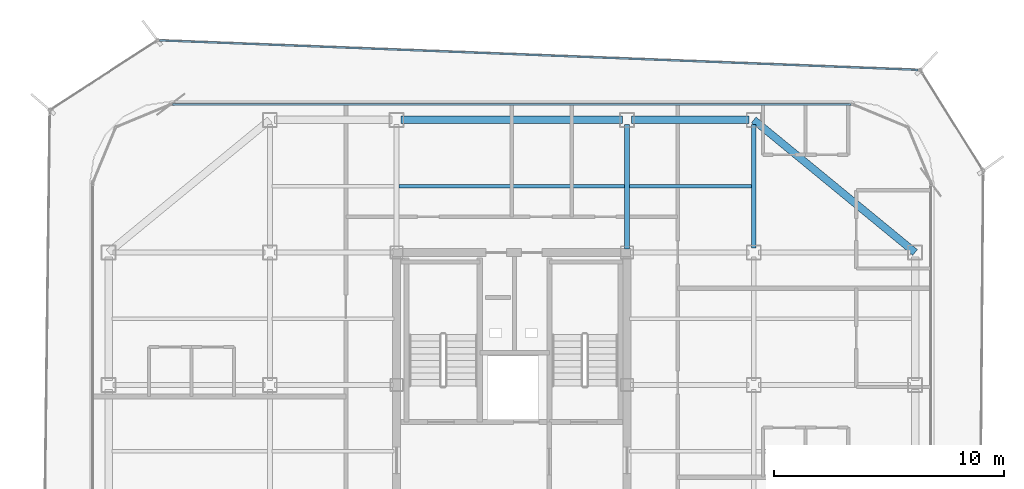
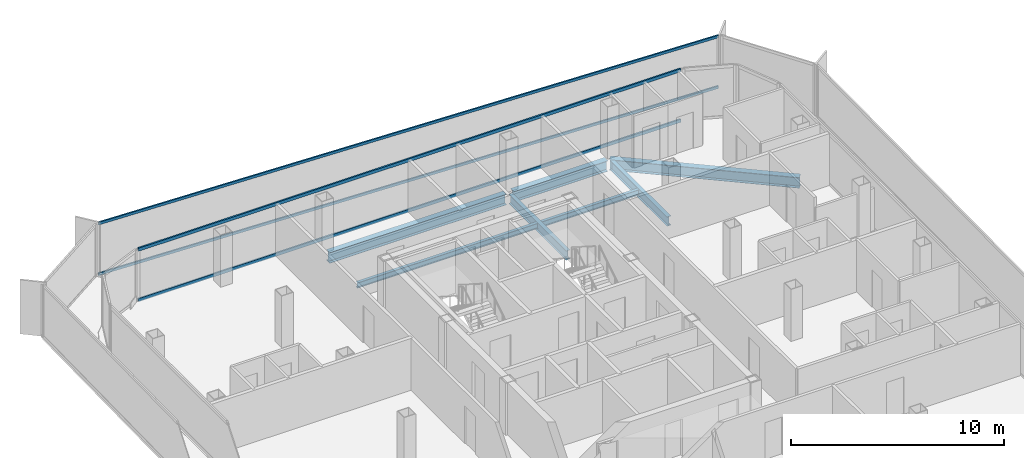
# One storey, part 7 of 15: 7 beams, 4 members, 2 elements without a shape of their own.
"""IFC4 building model written with IfcOpenShell, lengths in metres."""

from ifc_helpers import new_model, si_unit, direction, frame, origin, origin_2d, place, context, subcontext, project, spatial, hollow_rectangle, i_section, extrude, source, transform, mapped, material, layer, layer_set, material_profile, profile_set, type_object, element, aggregate, save


model = new_model("IFC4")

# Units and contexts
model_context = context("Model", 3, precision=1e-05, world=origin(), true_north=direction((0.0, 1.0)))
body_context = subcontext(model_context, "Body", "Model", "MODEL_VIEW")
ifc_project = project(units=[si_unit("LENGTHUNIT", "METRE"), si_unit("AREAUNIT", "SQUARE_METRE"), si_unit("VOLUMEUNIT", "CUBIC_METRE"), si_unit("PLANEANGLEUNIT", "RADIAN"), si_unit("MASSUNIT", "GRAM", prefix="KILO")], contexts=[model_context])

# Site, building, storey
site_placement = place(None, origin())
site = spatial("IfcSite", under=ifc_project, at=site_placement, CompositionType="ELEMENT")
building_placement = place(site_placement, origin())
building = spatial("IfcBuilding", under=site, at=building_placement, Name="Kolveth Station Tower", CompositionType="ELEMENT")
storey_placement = place(building_placement, frame((0.0, 0.0, 245.699951171875)))
storey = spatial("IfcBuildingStorey", under=building, at=storey_placement, Name="L70", CompositionType="ELEMENT", Elevation=245.699951171875)

# Beams
ifc_material_1 = material(Name="Steel S355", Category="steel")
ifc_material_profile_1 = material_profile(ifc_material_1, i_section(OverallWidth=0.323974609375, OverallDepth=0.611083984375, WebThickness=0.0126953125, FlangeThickness=0.01904296875, at=origin_2d()), Name="W610x155")
ifc_profile_set_1 = profile_set([ifc_material_profile_1], Name="Steel S355")
beam_type_1 = type_object("IfcBeamType", Name="Beam_SP2", PredefinedType="SPANDREL", material=ifc_profile_set_1)
shared_shape_1 = source(origin(), body_context, "Body", "SweptSolid", [
    extrude(i_section(OverallWidth=0.323974609375, OverallDepth=0.611083984375, WebThickness=0.0126953125, FlangeThickness=0.01904296875, at=origin_2d()), origin(), (0.0, 0.0, 1.0), 9.058837890625),
])
beam_1_placement = place(storey_placement, frame((41.0, 28.75, -0.525390625), z_axis=(-0.772726254525, 0.63473942336, 0.0), x_axis=(-0.63473942336, -0.772726254525, 0.0)))
element("IfcBeam", 1, at=beam_1_placement, inside=storey, type_object=beam_type_1, Name="L70 Corner Edge Girder BM-L70-CNR-NE", PredefinedType="SPANDREL", context=body_context, shape_type="MappedRepresentation", body=[
    mapped(shared_shape_1, transform((0.0, 0.0, 0.0), x_axis=(1.0, 0.0, 0.0), y_axis=(0.0, 1.0, 0.0), z_axis=(0.0, 0.0, 1.0), scale=1.0)),
])
shared_shape_2 = source(origin(), body_context, "Body", "SweptSolid", [
    extrude(i_section(OverallWidth=0.323974609375, OverallDepth=0.611083984375, WebThickness=0.0126953125, FlangeThickness=0.01904296875, at=origin_2d()), origin(), (0.0, 0.0, 1.0), 5.10009765625),
])
beam_2_placement = place(storey_placement, frame((28.699951171875, 34.5, -0.525390625), z_axis=(1.0, 0.0, 0.0), x_axis=(0.0, 1.0, 0.0)))
element("IfcBeam", 2, at=beam_2_placement, inside=storey, type_object=beam_type_1, Name="L70 Perimeter Spandrel BM-L70-PN-3", PredefinedType="SPANDREL", context=body_context, shape_type="MappedRepresentation", body=[
    mapped(shared_shape_2, transform((0.0, 0.0, 0.0), x_axis=(1.0, 0.0, 0.0), y_axis=(0.0, 1.0, 0.0), z_axis=(0.0, 0.0, 1.0), scale=1.0)),
])
shared_shape_3 = source(origin(), body_context, "Body", "SweptSolid", [
    extrude(i_section(OverallWidth=0.323974609375, OverallDepth=0.611083984375, WebThickness=0.0126953125, FlangeThickness=0.01904296875, at=origin_2d()), origin(), (0.0, 0.0, 1.0), 9.60009765625),
])
beam_3_placement = place(storey_placement, frame((18.699951171875, 34.5, -0.525390625), z_axis=(1.0, 0.0, 0.0), x_axis=(0.0, 1.0, 0.0)))
element("IfcBeam", 3, at=beam_3_placement, inside=storey, type_object=beam_type_1, Name="L70 Perimeter Spandrel BM-L70-PN-2", PredefinedType="SPANDREL", context=body_context, shape_type="MappedRepresentation", body=[
    mapped(shared_shape_3, transform((0.0, 0.0, 0.0), x_axis=(1.0, 0.0, 0.0), y_axis=(0.0, 1.0, 0.0), z_axis=(0.0, 0.0, 1.0), scale=1.0)),
])
ifc_material_profile_2 = material_profile(ifc_material_1, i_section(OverallWidth=0.2099609375, OverallDepth=0.537109375, WebThickness=0.010986328125, FlangeThickness=0.017333984375, at=origin_2d()), Name="W530x101")
ifc_profile_set_2 = profile_set([ifc_material_profile_2], Name="Steel S355")
beam_type_2 = type_object("IfcBeamType", Name="Beam_B6", PredefinedType="BEAM", material=ifc_profile_set_2)
shared_shape_4 = source(origin(), body_context, "Body", "SweptSolid", [
    extrude(i_section(OverallWidth=0.2099609375, OverallDepth=0.537109375, WebThickness=0.010986328125, FlangeThickness=0.017333984375, at=origin_2d()), origin(), (0.0, 0.0, 1.0), 5.35009765625),
])
beam_4_placement = place(storey_placement, frame((34.0, 28.949951171875, -0.488525390625), z_axis=(0.0, 1.0, 0.0), x_axis=(-1.0, 0.0, 0.0)))
element("IfcBeam", 4, at=beam_4_placement, inside=storey, type_object=beam_type_2, Name="L70 Primary Girder BM-L70-GX340-6", PredefinedType="BEAM", context=body_context, shape_type="MappedRepresentation", body=[
    mapped(shared_shape_4, transform((0.0, 0.0, 0.0), x_axis=(1.0, 0.0, 0.0), y_axis=(0.0, 1.0, 0.0), z_axis=(0.0, 0.0, 1.0), scale=1.0)),
])
shared_shape_5 = source(origin(), body_context, "Body", "SweptSolid", [
    extrude(i_section(OverallWidth=0.2099609375, OverallDepth=0.537109375, WebThickness=0.010986328125, FlangeThickness=0.017333984375, at=origin_2d()), origin(), (0.0, 0.0, 1.0), 5.39013671875),
])
beam_5_placement = place(storey_placement, frame((28.5, 28.909912109375, -0.488525390625), z_axis=(0.0, 1.0, 0.0), x_axis=(-1.0, 0.0, 0.0)))
element("IfcBeam", 5, at=beam_5_placement, inside=storey, type_object=beam_type_2, Name="L70 Primary Girder BM-L70-GX285-6", PredefinedType="BEAM", context=body_context, shape_type="MappedRepresentation", body=[
    mapped(shared_shape_5, transform((0.0, 0.0, 0.0), x_axis=(1.0, 0.0, 0.0), y_axis=(0.0, 1.0, 0.0), z_axis=(0.0, 0.0, 1.0), scale=1.0)),
])
ifc_material_profile_3 = material_profile(ifc_material_1, i_section(OverallWidth=0.1650390625, OverallDepth=0.31005859375, WebThickness=0.005859375, FlangeThickness=0.009765625, at=origin_2d()), Name="W310x39")
ifc_profile_set_3 = profile_set([ifc_material_profile_3], Name="Steel S355")
beam_type_3 = type_object("IfcBeamType", Name="Beam_J3", PredefinedType="JOIST", material=ifc_profile_set_3)
shared_shape_6 = source(origin(), body_context, "Body", "SweptSolid", [
    extrude(i_section(OverallWidth=0.1650390625, OverallDepth=0.31005859375, WebThickness=0.005859375, FlangeThickness=0.009765625, at=origin_2d()), origin(), (0.0, 0.0, 1.0), 5.2939453125),
])
beam_6_placement = place(storey_placement, frame((28.60302734375, 31.625, -0.375), z_axis=(1.0, 0.0, 0.0), x_axis=(0.0, 1.0, 0.0)))
element("IfcBeam", 6, at=beam_6_placement, inside=storey, type_object=beam_type_3, Name="L70 Secondary Joist JST-L70-4-6", PredefinedType="JOIST", context=body_context, shape_type="MappedRepresentation", body=[
    mapped(shared_shape_6, transform((0.0, 0.0, 0.0), x_axis=(1.0, 0.0, 0.0), y_axis=(0.0, 1.0, 0.0), z_axis=(0.0, 0.0, 1.0), scale=1.0)),
])
shared_shape_7 = source(origin(), body_context, "Body", "SweptSolid", [
    extrude(i_section(OverallWidth=0.1650390625, OverallDepth=0.31005859375, WebThickness=0.005859375, FlangeThickness=0.009765625, at=origin_2d()), origin(), (0.0, 0.0, 1.0), 9.7939453125),
])
beam_7_placement = place(storey_placement, frame((18.60302734375, 31.625, -0.375), z_axis=(1.0, 0.0, 0.0), x_axis=(0.0, 1.0, 0.0)))
element("IfcBeam", 7, at=beam_7_placement, inside=storey, type_object=beam_type_3, Name="L70 Secondary Joist JST-L70-3-6", PredefinedType="JOIST", context=body_context, shape_type="MappedRepresentation", body=[
    mapped(shared_shape_7, transform((0.0, 0.0, 0.0), x_axis=(1.0, 0.0, 0.0), y_axis=(0.0, 1.0, 0.0), z_axis=(0.0, 0.0, 1.0), scale=1.0)),
])

# Curtain wall, members
ifc_material_2 = material(Name="Aluminium 6063-T6 and triple low-E dark glass", Category="aluminium")
ifc_layer_1 = layer(ifc_material_2, 0.199951171875)
ifc_layer_set_1 = layer_set([ifc_layer_1], Name="Aluminium 6063-T6 and triple low-E dark glass")
curtain_wall_type_1 = type_object("IfcCurtainWallType", Name="CurtainWall_CW-Z3", PredefinedType="NOTDEFINED", material=ifc_layer_set_1)
curtain_wall_1_placement = place(storey_placement, origin())
curtain_wall_1 = element("IfcCurtainWall", 8, at=curtain_wall_1_placement, inside=storey, type_object=curtain_wall_type_1, Name="L70 Inner Thermal Curtain Wall 6", PredefinedType="NOTDEFINED")
ifc_material_3 = material(Name="Black anodized aluminium 6063-T6", Category="aluminium")
ifc_material_profile_4 = material_profile(ifc_material_3, hollow_rectangle(XDim=0.0849609375, YDim=0.179931640625, WallThickness=0.0048828125, at=origin_2d()), Name="ALU-85x180x5")
ifc_profile_set_4 = profile_set([ifc_material_profile_4], Name="Black anodized aluminium 6063-T6")
member_type_1 = type_object("IfcMemberType", Name="Transom_TR3", PredefinedType="USERDEFINED", material=ifc_profile_set_4)
shared_shape_8 = source(origin(), body_context, "Body", "SweptSolid", [
    extrude(hollow_rectangle(XDim=0.0849609375, YDim=0.179931640625, WallThickness=0.0048828125, at=origin_2d()), origin(), (0.0, 0.0, 1.0), 29.43017578125),
])
member_1_placement = place(storey_placement, frame((38.215087890625, 35.179931640625, 0.04248046875), z_axis=(-1.0, 0.0, 0.0), x_axis=(0.0, -1.0, 0.0)))
member_1 = element("IfcMember", 9, at=member_1_placement, type_object=member_type_1, Name="CW-Z3 transom 1.1", ObjectType="TRANSOM", PredefinedType="USERDEFINED", context=body_context, shape_type="MappedRepresentation", body=[
    mapped(shared_shape_8, transform((0.0, 0.0, 0.0), x_axis=(1.0, 0.0, 0.0), y_axis=(0.0, 1.0, 0.0), z_axis=(0.0, 0.0, 1.0), scale=1.0)),
])
member_2_placement = place(storey_placement, frame((38.215087890625, 35.179931640625, 2.9375), z_axis=(-1.0, 0.0, 0.0), x_axis=(0.0, -1.0, 0.0)))
member_2 = element("IfcMember", 10, at=member_2_placement, type_object=member_type_1, Name="CW-Z3 transom 1.2", ObjectType="TRANSOM", PredefinedType="USERDEFINED", context=body_context, shape_type="MappedRepresentation", body=[
    mapped(shared_shape_8, transform((0.0, 0.0, 0.0), x_axis=(1.0, 0.0, 0.0), y_axis=(0.0, 1.0, 0.0), z_axis=(0.0, 0.0, 1.0), scale=1.0)),
])
aggregate(curtain_wall_1, [member_1, member_2])

ifc_material_4 = material(Name="Black anodized aluminium 6063-T6 and dark solar glass", Category="aluminium")
ifc_layer_2 = layer(ifc_material_4, 0.159912109375)
ifc_layer_set_2 = layer_set([ifc_layer_2], Name="Black anodized aluminium 6063-T6 and dark solar glass")
curtain_wall_type_2 = type_object("IfcCurtainWallType", Name="OUTER SKIN CW-OS", PredefinedType="NOTDEFINED", material=ifc_layer_set_2)
curtain_wall_2_placement = place(storey_placement, origin())
curtain_wall_2 = element("IfcCurtainWall", 11, at=curtain_wall_2_placement, inside=storey, type_object=curtain_wall_type_2, Name="L70 Outer Ventilated Skin Curtain Wall 4", PredefinedType="NOTDEFINED")
ifc_material_profile_5 = material_profile(ifc_material_3, hollow_rectangle(XDim=0.080078125, YDim=0.14990234375, WallThickness=0.0048828125, at=origin_2d()), Name="ALU-80x150x5")
ifc_profile_set_5 = profile_set([ifc_material_profile_5], Name="Black anodized aluminium 6063-T6")
member_type_2 = type_object("IfcMemberType", Name="Transom_TR-OS", PredefinedType="USERDEFINED", material=ifc_profile_set_5)
shared_shape_9 = source(origin(), body_context, "Body", "SweptSolid", [
    extrude(hollow_rectangle(XDim=0.080078125, YDim=0.14990234375, WallThickness=0.0048828125, at=origin_2d()), origin(), (0.0, 0.0, 1.0), 32.94580078125),
])
member_3_placement = place(storey_placement, frame((41.136962890625, 36.6708984375, 0.0400390625), z_axis=(-0.999244664594, 0.038860008759, 0.0), x_axis=(-0.038860008759, -0.999244664594, 0.0)))
member_3 = element("IfcMember", 12, at=member_3_placement, type_object=member_type_2, Name="CW-OS transom 1.1", ObjectType="TRANSOM", PredefinedType="USERDEFINED", context=body_context, shape_type="MappedRepresentation", body=[
    mapped(shared_shape_9, transform((0.0, 0.0, 0.0), x_axis=(1.0, 0.0, 0.0), y_axis=(0.0, 1.0, 0.0), z_axis=(0.0, 0.0, 1.0), scale=1.0)),
])
member_4_placement = place(storey_placement, frame((41.136962890625, 36.6708984375, 2.949951171875), z_axis=(-0.999244664594, 0.038860008759, 0.0), x_axis=(-0.038860008759, -0.999244664594, 0.0)))
member_4 = element("IfcMember", 13, at=member_4_placement, type_object=member_type_2, Name="CW-OS transom 1.2", ObjectType="TRANSOM", PredefinedType="USERDEFINED", context=body_context, shape_type="MappedRepresentation", body=[
    mapped(shared_shape_9, transform((0.0, 0.0, 0.0), x_axis=(1.0, 0.0, 0.0), y_axis=(0.0, 1.0, 0.0), z_axis=(0.0, 0.0, 1.0), scale=1.0)),
])
aggregate(curtain_wall_2, [member_3, member_4])

save(model, "model.ifc")
